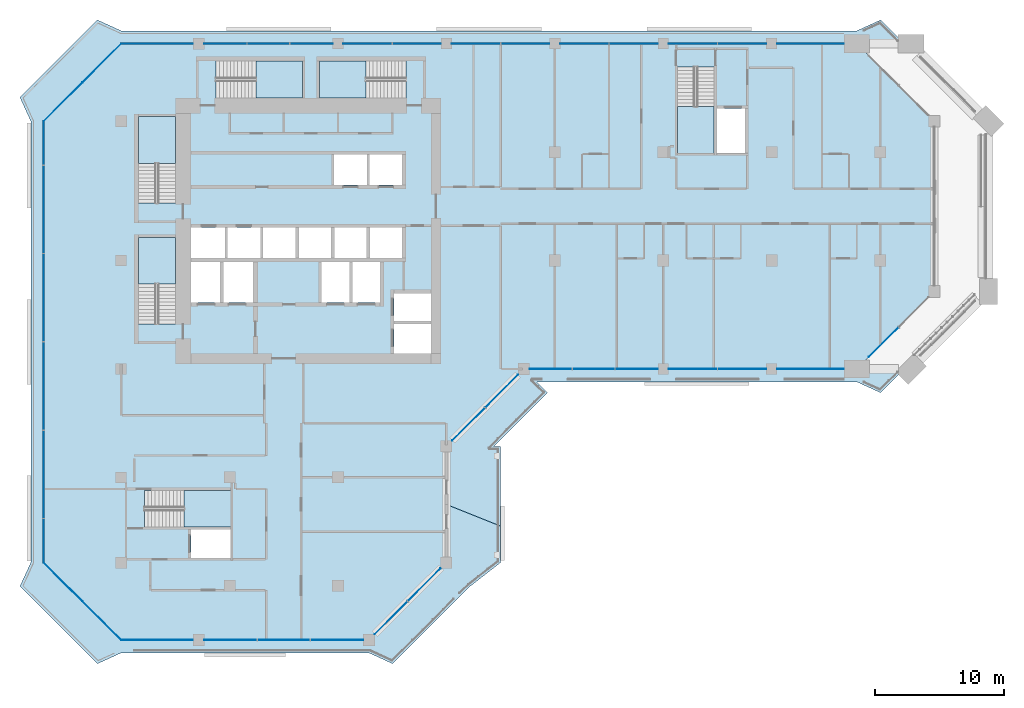
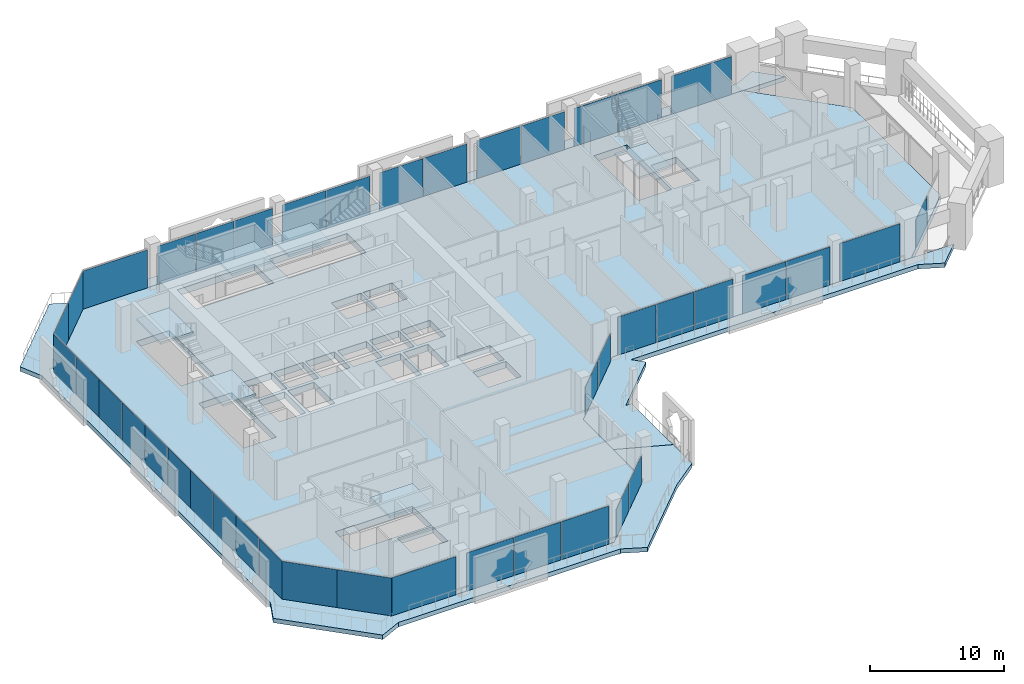
# One storey, part 8 of 21: 42 plates, 9 slabs, 15 elements without a shape of their own.
"""IFC4 building model written with IfcOpenShell, lengths in metres."""

from ifc_helpers import new_model, si_unit, direction, frame, origin, origin_2d, place, context, subcontext, project, spatial, polyline, rectangle, outline, extrude, material, layer, layer_set, type_object, element, aggregate, save


model = new_model("IFC4")

# Units and contexts
model_context = context("Model", 3, precision=1e-05, world=origin(), true_north=direction((0.0, 1.0)))
body_context = subcontext(model_context, "Body", "Model", "MODEL_VIEW")
ifc_project = project(units=[si_unit("LENGTHUNIT", "METRE"), si_unit("AREAUNIT", "SQUARE_METRE"), si_unit("VOLUMEUNIT", "CUBIC_METRE"), si_unit("PLANEANGLEUNIT", "RADIAN"), si_unit("MASSUNIT", "GRAM", prefix="KILO")], contexts=[model_context])

# Site, building, storey
site_placement = place(None, origin())
site = spatial("IfcSite", under=ifc_project, at=site_placement, CompositionType="ELEMENT")
building_placement = place(site_placement, origin())
building = spatial("IfcBuilding", under=site, at=building_placement, Name="Kawkab Arch Medical Tower", CompositionType="ELEMENT")
storey_placement = place(building_placement, frame((0.0, 0.0, 230.60009765625)))
storey = spatial("IfcBuildingStorey", under=building, at=storey_placement, Name="L53", CompositionType="ELEMENT", Elevation=230.60009765625)

# Curtain wall, plates
ifc_material_1 = material(Name="Bronze anodised aluminium curtain wall frame", Category="aluminium")
ifc_layer_1 = layer(ifc_material_1, 0.159912109375)
ifc_layer_set_1 = layer_set([ifc_layer_1], Name="Bronze anodised aluminium curtain wall frame")
curtain_wall_type_1 = type_object("IfcCurtainWallType", Name="CW1 ward curtain wall", PredefinedType="NOTDEFINED", material=ifc_layer_set_1)
placement_1 = place(storey_placement, origin())
curtain_wall_1 = element("IfcCurtainWall", 1, at=placement_1, inside=storey, type_object=curtain_wall_type_1, Name="CW1 Ward curtain wall R01", PredefinedType="NOTDEFINED")
ifc_material_2 = material(Name="Tinted insulating glass, bronze low-e coating", Category="glass")
ifc_layer_2 = layer(ifc_material_2, 0.031982421875)
ifc_layer_set_2 = layer_set([ifc_layer_2], Name="Tinted insulating glass, bronze low-e coating")
plate_type_1 = type_object("IfcPlateType", Name="CW1 glazing unit 32", PredefinedType="CURTAIN_PANEL", material=ifc_layer_set_2)
plate_1_placement = place(storey_placement, frame((-6.0, -7.695068359375, 0.0), z_axis=(0.0, 0.0, 1.0), x_axis=(0.0, -1.0, 0.0)))
plate_1 = element("IfcPlate", 2, at=plate_1_placement, type_object=plate_type_1, Name="CW1 glazing unit 1.1", PredefinedType="CURTAIN_PANEL", context=body_context, shape_type="SweptSolid", body=[
    extrude(rectangle(XDim=3.389892578125, YDim=0.031982421875, at=origin_2d()), origin(), (0.0, 0.0, 1.0), 3.47998046875),
])
plate_2_placement = place(storey_placement, frame((-6.0, -11.14501953125, 0.0), z_axis=(0.0, 0.0, 1.0), x_axis=(0.0, -1.0, 0.0)))
plate_2 = element("IfcPlate", 3, at=plate_2_placement, type_object=plate_type_1, Name="CW1 glazing unit 1.2", PredefinedType="CURTAIN_PANEL", context=body_context, shape_type="SweptSolid", body=[
    extrude(rectangle(XDim=3.389892578125, YDim=0.031982421875, at=origin_2d()), origin(), (0.0, 0.0, 1.0), 3.47998046875),
])
plate_3_placement = place(storey_placement, frame((-6.0, -14.534912109375, 0.0), z_axis=(0.0, 0.0, 1.0), x_axis=(0.0, -1.0, 0.0)))
plate_3 = element("IfcPlate", 4, at=plate_3_placement, type_object=plate_type_1, Name="CW1 glazing unit 2.1", PredefinedType="CURTAIN_PANEL", context=body_context, shape_type="SweptSolid", body=[
    extrude(rectangle(XDim=3.389892578125, YDim=0.031982421875, at=origin_2d()), origin(), (0.0, 0.0, 1.0), 3.47998046875),
])
plate_4_placement = place(storey_placement, frame((-6.0, -17.985107421875, 0.0), z_axis=(0.0, 0.0, 1.0), x_axis=(0.0, -1.0, 0.0)))
plate_4 = element("IfcPlate", 5, at=plate_4_placement, type_object=plate_type_1, Name="CW1 glazing unit 2.2", PredefinedType="CURTAIN_PANEL", context=body_context, shape_type="SweptSolid", body=[
    extrude(rectangle(XDim=3.389892578125, YDim=0.031982421875, at=origin_2d()), origin(), (0.0, 0.0, 1.0), 3.47998046875),
])
plate_5_placement = place(storey_placement, frame((-6.0, -21.375, 0.0), z_axis=(0.0, 0.0, 1.0), x_axis=(0.0, -1.0, 0.0)))
plate_5 = element("IfcPlate", 6, at=plate_5_placement, type_object=plate_type_1, Name="CW1 glazing unit 3.1", PredefinedType="CURTAIN_PANEL", context=body_context, shape_type="SweptSolid", body=[
    extrude(rectangle(XDim=3.389892578125, YDim=0.031982421875, at=origin_2d()), origin(), (0.0, 0.0, 1.0), 3.47998046875),
])
plate_6_placement = place(storey_placement, frame((-6.0, -24.824951171875, 0.0), z_axis=(0.0, 0.0, 1.0), x_axis=(0.0, -1.0, 0.0)))
plate_6 = element("IfcPlate", 7, at=plate_6_placement, type_object=plate_type_1, Name="CW1 glazing unit 3.2", PredefinedType="CURTAIN_PANEL", context=body_context, shape_type="SweptSolid", body=[
    extrude(rectangle(XDim=3.389892578125, YDim=0.031982421875, at=origin_2d()), origin(), (0.0, 0.0, 1.0), 3.47998046875),
])
plate_7_placement = place(storey_placement, frame((-6.0, -28.215087890625, 0.0), z_axis=(0.0, 0.0, 1.0), x_axis=(0.0, -1.0, 0.0)))
plate_7 = element("IfcPlate", 8, at=plate_7_placement, type_object=plate_type_1, Name="CW1 glazing unit 4.1", PredefinedType="CURTAIN_PANEL", context=body_context, shape_type="SweptSolid", body=[
    extrude(rectangle(XDim=3.389892578125, YDim=0.031982421875, at=origin_2d()), origin(), (0.0, 0.0, 1.0), 3.47998046875),
])
plate_8_placement = place(storey_placement, frame((-6.0, -31.6650390625, 0.0), z_axis=(0.0, 0.0, 1.0), x_axis=(0.0, -1.0, 0.0)))
plate_8 = element("IfcPlate", 9, at=plate_8_placement, type_object=plate_type_1, Name="CW1 glazing unit 4.2", PredefinedType="CURTAIN_PANEL", context=body_context, shape_type="SweptSolid", body=[
    extrude(rectangle(XDim=3.389892578125, YDim=0.031982421875, at=origin_2d()), origin(), (0.0, 0.0, 1.0), 3.47998046875),
])
plate_9_placement = place(storey_placement, frame((-6.0, -35.054931640625, 0.0), z_axis=(0.0, 0.0, 1.0), x_axis=(0.0, -1.0, 0.0)))
plate_9 = element("IfcPlate", 10, at=plate_9_placement, type_object=plate_type_1, Name="CW1 glazing unit 5.1", PredefinedType="CURTAIN_PANEL", context=body_context, shape_type="SweptSolid", body=[
    extrude(rectangle(XDim=3.389892578125, YDim=0.031982421875, at=origin_2d()), origin(), (0.0, 0.0, 1.0), 3.47998046875),
])
plate_10_placement = place(storey_placement, frame((-6.0, -38.5048828125, 0.0), z_axis=(0.0, 0.0, 1.0), x_axis=(0.0, -1.0, 0.0)))
plate_10 = element("IfcPlate", 11, at=plate_10_placement, type_object=plate_type_1, Name="CW1 glazing unit 5.2", PredefinedType="CURTAIN_PANEL", context=body_context, shape_type="SweptSolid", body=[
    extrude(rectangle(XDim=3.389892578125, YDim=0.031982421875, at=origin_2d()), origin(), (0.0, 0.0, 1.0), 3.47998046875),
])
aggregate(curtain_wall_1, [plate_1, plate_2, plate_3, plate_4, plate_5, plate_6, plate_7, plate_8, plate_9, plate_10])

curtain_wall_2 = element("IfcCurtainWall", 12, at=placement_1, inside=storey, type_object=curtain_wall_type_1, Name="CW1 Ward curtain wall R03", PredefinedType="NOTDEFINED")
plate_11_placement = place(storey_placement, frame((2.77490234375, -46.199951171875, 0.0), z_axis=(0.0, 0.0, 1.0), x_axis=(1.0, 0.0, 0.0)))
plate_11 = element("IfcPlate", 13, at=plate_11_placement, type_object=plate_type_1, Name="CW1 glazing unit 1.1", PredefinedType="CURTAIN_PANEL", context=body_context, shape_type="SweptSolid", body=[
    extrude(rectangle(XDim=5.550048828125, YDim=0.031982421875, at=origin_2d()), origin(), (0.0, 0.0, 1.0), 3.47998046875),
])
plate_12_placement = place(storey_placement, frame((8.485107421875, -46.199951171875, 0.0), z_axis=(0.0, 0.0, 1.0), x_axis=(1.0, 0.0, 0.0)))
plate_12 = element("IfcPlate", 14, at=plate_12_placement, type_object=plate_type_1, Name="CW1 glazing unit 2.1", PredefinedType="CURTAIN_PANEL", context=body_context, shape_type="SweptSolid", body=[
    extrude(rectangle(XDim=4.070068359375, YDim=0.031982421875, at=origin_2d()), origin(), (0.0, 0.0, 1.0), 3.47998046875),
])
plate_13_placement = place(storey_placement, frame((12.60009765625, -46.199951171875, 0.0), z_axis=(0.0, 0.0, 1.0), x_axis=(1.0, 0.0, 0.0)))
plate_13 = element("IfcPlate", 15, at=plate_13_placement, type_object=plate_type_1, Name="CW1 glazing unit 2.2", PredefinedType="CURTAIN_PANEL", context=body_context, shape_type="SweptSolid", body=[
    extrude(rectangle(XDim=4.0400390625, YDim=0.031982421875, at=origin_2d()), origin(), (0.0, 0.0, 1.0), 3.47998046875),
])
plate_14_placement = place(storey_placement, frame((16.715087890625, -46.199951171875, 0.0), z_axis=(0.0, 0.0, 1.0), x_axis=(1.0, 0.0, 0.0)))
plate_14 = element("IfcPlate", 16, at=plate_14_placement, type_object=plate_type_1, Name="CW1 glazing unit 2.3", PredefinedType="CURTAIN_PANEL", context=body_context, shape_type="SweptSolid", body=[
    extrude(rectangle(XDim=4.070068359375, YDim=0.031982421875, at=origin_2d()), origin(), (0.0, 0.0, 1.0), 3.47998046875),
])
aggregate(curtain_wall_2, [plate_11, plate_12, plate_13, plate_14])

curtain_wall_3 = element("IfcCurtainWall", 17, at=placement_1, inside=storey, type_object=curtain_wall_type_1, Name="CW1 Ward curtain wall R07", PredefinedType="NOTDEFINED")
plate_15_placement = place(storey_placement, frame((33.2890625, -25.199951171875, 0.0), z_axis=(0.0, 0.0, 1.0), x_axis=(1.0, 0.0, 0.0)))
plate_15 = element("IfcPlate", 18, at=plate_15_placement, type_object=plate_type_1, Name="CW1 glazing unit 1.1", PredefinedType="CURTAIN_PANEL", context=body_context, shape_type="SweptSolid", body=[
    extrude(rectangle(XDim=3.2783203125, YDim=0.031982421875, at=origin_2d()), origin(), (0.0, 0.0, 1.0), 3.47998046875),
])
plate_16_placement = place(storey_placement, frame((36.612548828125, -25.199951171875, 0.0), z_axis=(0.0, 0.0, 1.0), x_axis=(1.0, 0.0, 0.0)))
plate_16 = element("IfcPlate", 19, at=plate_16_placement, type_object=plate_type_1, Name="CW1 glazing unit 1.2", PredefinedType="CURTAIN_PANEL", context=body_context, shape_type="SweptSolid", body=[
    extrude(rectangle(XDim=3.248291015625, YDim=0.031982421875, at=origin_2d()), origin(), (0.0, 0.0, 1.0), 3.47998046875),
])
plate_17_placement = place(storey_placement, frame((39.935791015625, -25.199951171875, 0.0), z_axis=(0.0, 0.0, 1.0), x_axis=(1.0, 0.0, 0.0)))
plate_17 = element("IfcPlate", 20, at=plate_17_placement, type_object=plate_type_1, Name="CW1 glazing unit 1.3", PredefinedType="CURTAIN_PANEL", context=body_context, shape_type="SweptSolid", body=[
    extrude(rectangle(XDim=3.2783203125, YDim=0.031982421875, at=origin_2d()), origin(), (0.0, 0.0, 1.0), 3.47998046875),
])
plate_18_placement = place(storey_placement, frame((44.297607421875, -25.199951171875, 0.0), z_axis=(0.0, 0.0, 1.0), x_axis=(1.0, 0.0, 0.0)))
plate_18 = element("IfcPlate", 21, at=plate_18_placement, type_object=plate_type_1, Name="CW1 glazing unit 2.1", PredefinedType="CURTAIN_PANEL", context=body_context, shape_type="SweptSolid", body=[
    extrude(rectangle(XDim=3.7451171875, YDim=0.031982421875, at=origin_2d()), origin(), (0.0, 0.0, 1.0), 3.47998046875),
])
plate_19_placement = place(storey_placement, frame((48.1025390625, -25.199951171875, 0.0), z_axis=(0.0, 0.0, 1.0), x_axis=(1.0, 0.0, 0.0)))
plate_19 = element("IfcPlate", 22, at=plate_19_placement, type_object=plate_type_1, Name="CW1 glazing unit 2.2", PredefinedType="CURTAIN_PANEL", context=body_context, shape_type="SweptSolid", body=[
    extrude(rectangle(XDim=3.7451171875, YDim=0.031982421875, at=origin_2d()), origin(), (0.0, 0.0, 1.0), 3.47998046875),
])
plate_20_placement = place(storey_placement, frame((53.41259765625, -25.199951171875, 0.0), z_axis=(0.0, 0.0, 1.0), x_axis=(1.0, 0.0, 0.0)))
plate_20 = element("IfcPlate", 23, at=plate_20_placement, type_object=plate_type_1, Name="CW1 glazing unit 3.1", PredefinedType="CURTAIN_PANEL", context=body_context, shape_type="SweptSolid", body=[
    extrude(rectangle(XDim=5.175048828125, YDim=0.031982421875, at=origin_2d()), origin(), (0.0, 0.0, 1.0), 3.47998046875),
])
aggregate(curtain_wall_3, [plate_15, plate_16, plate_17, plate_18, plate_19, plate_20])

curtain_wall_4 = element("IfcCurtainWall", 24, at=placement_1, inside=storey, type_object=curtain_wall_type_1, Name="CW1 Ward curtain wall R11", PredefinedType="NOTDEFINED")
plate_21_placement = place(storey_placement, frame((53.41259765625, 0.0, 0.0), z_axis=(0.0, 0.0, 1.0), x_axis=(-1.0, 0.0, 0.0)))
plate_21 = element("IfcPlate", 25, at=plate_21_placement, type_object=plate_type_1, Name="CW1 glazing unit 1.1", PredefinedType="CURTAIN_PANEL", context=body_context, shape_type="SweptSolid", body=[
    extrude(rectangle(XDim=5.175048828125, YDim=0.031982421875, at=origin_2d()), origin(), (0.0, 0.0, 1.0), 3.47998046875),
])
plate_22_placement = place(storey_placement, frame((48.1025390625, 0.0, 0.0), z_axis=(0.0, 0.0, 1.0), x_axis=(-1.0, 0.0, 0.0)))
plate_22 = element("IfcPlate", 26, at=plate_22_placement, type_object=plate_type_1, Name="CW1 glazing unit 2.1", PredefinedType="CURTAIN_PANEL", context=body_context, shape_type="SweptSolid", body=[
    extrude(rectangle(XDim=3.7451171875, YDim=0.031982421875, at=origin_2d()), origin(), (0.0, 0.0, 1.0), 3.47998046875),
])
plate_23_placement = place(storey_placement, frame((44.297607421875, 0.0, 0.0), z_axis=(0.0, 0.0, 1.0), x_axis=(-1.0, 0.0, 0.0)))
plate_23 = element("IfcPlate", 27, at=plate_23_placement, type_object=plate_type_1, Name="CW1 glazing unit 2.2", PredefinedType="CURTAIN_PANEL", context=body_context, shape_type="SweptSolid", body=[
    extrude(rectangle(XDim=3.7451171875, YDim=0.031982421875, at=origin_2d()), origin(), (0.0, 0.0, 1.0), 3.47998046875),
])
plate_24_placement = place(storey_placement, frame((39.702392578125, 0.0, 0.0), z_axis=(0.0, 0.0, 1.0), x_axis=(-1.0, 0.0, 0.0)))
plate_24 = element("IfcPlate", 28, at=plate_24_placement, type_object=plate_type_1, Name="CW1 glazing unit 3.1", PredefinedType="CURTAIN_PANEL", context=body_context, shape_type="SweptSolid", body=[
    extrude(rectangle(XDim=3.7451171875, YDim=0.031982421875, at=origin_2d()), origin(), (0.0, 0.0, 1.0), 3.47998046875),
])
plate_25_placement = place(storey_placement, frame((35.8974609375, 0.0, 0.0), z_axis=(0.0, 0.0, 1.0), x_axis=(-1.0, 0.0, 0.0)))
plate_25 = element("IfcPlate", 29, at=plate_25_placement, type_object=plate_type_1, Name="CW1 glazing unit 3.2", PredefinedType="CURTAIN_PANEL", context=body_context, shape_type="SweptSolid", body=[
    extrude(rectangle(XDim=3.7451171875, YDim=0.031982421875, at=origin_2d()), origin(), (0.0, 0.0, 1.0), 3.47998046875),
])
plate_26_placement = place(storey_placement, frame((31.302490234375, 0.0, 0.0), z_axis=(0.0, 0.0, 1.0), x_axis=(-1.0, 0.0, 0.0)))
plate_26 = element("IfcPlate", 30, at=plate_26_placement, type_object=plate_type_1, Name="CW1 glazing unit 4.1", PredefinedType="CURTAIN_PANEL", context=body_context, shape_type="SweptSolid", body=[
    extrude(rectangle(XDim=3.7451171875, YDim=0.031982421875, at=origin_2d()), origin(), (0.0, 0.0, 1.0), 3.47998046875),
])
plate_27_placement = place(storey_placement, frame((27.49755859375, 0.0, 0.0), z_axis=(0.0, 0.0, 1.0), x_axis=(-1.0, 0.0, 0.0)))
plate_27 = element("IfcPlate", 31, at=plate_27_placement, type_object=plate_type_1, Name="CW1 glazing unit 4.2", PredefinedType="CURTAIN_PANEL", context=body_context, shape_type="SweptSolid", body=[
    extrude(rectangle(XDim=3.7451171875, YDim=0.031982421875, at=origin_2d()), origin(), (0.0, 0.0, 1.0), 3.47998046875),
])
plate_28_placement = place(storey_placement, frame((22.902587890625, 0.0, 0.0), z_axis=(0.0, 0.0, 1.0), x_axis=(-1.0, 0.0, 0.0)))
plate_28 = element("IfcPlate", 32, at=plate_28_placement, type_object=plate_type_1, Name="CW1 glazing unit 5.1", PredefinedType="CURTAIN_PANEL", context=body_context, shape_type="SweptSolid", body=[
    extrude(rectangle(XDim=3.7451171875, YDim=0.031982421875, at=origin_2d()), origin(), (0.0, 0.0, 1.0), 3.47998046875),
])
plate_29_placement = place(storey_placement, frame((19.097412109375, 0.0, 0.0), z_axis=(0.0, 0.0, 1.0), x_axis=(-1.0, 0.0, 0.0)))
plate_29 = element("IfcPlate", 33, at=plate_29_placement, type_object=plate_type_1, Name="CW1 glazing unit 5.2", PredefinedType="CURTAIN_PANEL", context=body_context, shape_type="SweptSolid", body=[
    extrude(rectangle(XDim=3.7451171875, YDim=0.031982421875, at=origin_2d()), origin(), (0.0, 0.0, 1.0), 3.47998046875),
])
plate_30_placement = place(storey_placement, frame((14.73583984375, 0.0, 0.0), z_axis=(0.0, 0.0, 1.0), x_axis=(-1.0, 0.0, 0.0)))
plate_30 = element("IfcPlate", 34, at=plate_30_placement, type_object=plate_type_1, Name="CW1 glazing unit 6.1", PredefinedType="CURTAIN_PANEL", context=body_context, shape_type="SweptSolid", body=[
    extrude(rectangle(XDim=3.2783203125, YDim=0.031982421875, at=origin_2d()), origin(), (0.0, 0.0, 1.0), 3.47998046875),
])
plate_31_placement = place(storey_placement, frame((11.41259765625, 0.0, 0.0), z_axis=(0.0, 0.0, 1.0), x_axis=(-1.0, 0.0, 0.0)))
plate_31 = element("IfcPlate", 35, at=plate_31_placement, type_object=plate_type_1, Name="CW1 glazing unit 6.2", PredefinedType="CURTAIN_PANEL", context=body_context, shape_type="SweptSolid", body=[
    extrude(rectangle(XDim=3.248291015625, YDim=0.031982421875, at=origin_2d()), origin(), (0.0, 0.0, 1.0), 3.47998046875),
])
plate_32_placement = place(storey_placement, frame((8.089111328125, 0.0, 0.0), z_axis=(0.0, 0.0, 1.0), x_axis=(-1.0, 0.0, 0.0)))
plate_32 = element("IfcPlate", 36, at=plate_32_placement, type_object=plate_type_1, Name="CW1 glazing unit 6.3", PredefinedType="CURTAIN_PANEL", context=body_context, shape_type="SweptSolid", body=[
    extrude(rectangle(XDim=3.2783203125, YDim=0.031982421875, at=origin_2d()), origin(), (0.0, 0.0, 1.0), 3.47998046875),
])
plate_33_placement = place(storey_placement, frame((2.77490234375, 0.0, 0.0), z_axis=(0.0, 0.0, 1.0), x_axis=(-1.0, 0.0, 0.0)))
plate_33 = element("IfcPlate", 37, at=plate_33_placement, type_object=plate_type_1, Name="CW1 glazing unit 7.1", PredefinedType="CURTAIN_PANEL", context=body_context, shape_type="SweptSolid", body=[
    extrude(rectangle(XDim=5.550048828125, YDim=0.031982421875, at=origin_2d()), origin(), (0.0, 0.0, 1.0), 3.47998046875),
])
aggregate(curtain_wall_4, [plate_21, plate_22, plate_23, plate_24, plate_25, plate_26, plate_27, plate_28, plate_29, plate_30, plate_31, plate_32, plate_33])

ifc_material_3 = material(Name="Bronze anodised aluminium curtain wall frame", Category="aluminium")
ifc_layer_3 = layer(ifc_material_3, 0.159912109375)
ifc_layer_set_3 = layer_set([ifc_layer_3], Name="Bronze anodised aluminium curtain wall frame")
curtain_wall_type_2 = type_object("IfcCurtainWallType", Name="CW2 chamfer curtain wall", PredefinedType="NOTDEFINED", material=ifc_layer_set_3)
curtain_wall_5 = element("IfcCurtainWall", 38, at=placement_1, inside=storey, type_object=curtain_wall_type_2, Name="CW2 Chamfer curtain wall R02", PredefinedType="NOTDEFINED")
ifc_material_4 = material(Name="Tinted insulating glass, bronze low-e coating", Category="glass")
ifc_layer_4 = layer(ifc_material_4, 0.031982421875)
ifc_layer_set_4 = layer_set([ifc_layer_4], Name="Tinted insulating glass, bronze low-e coating")
plate_type_2 = type_object("IfcPlateType", Name="CW2 glazing unit 32", PredefinedType="CURTAIN_PANEL", material=ifc_layer_set_4)
plate_34_placement = place(storey_placement, frame((-4.5, -41.699951171875, 0.0), z_axis=(0.0, 0.0, 1.0), x_axis=(0.707106781187, -0.707106781187, 0.0)))
plate_34 = element("IfcPlate", 39, at=plate_34_placement, type_object=plate_type_2, Name="CW2 glazing unit 1.1", PredefinedType="CURTAIN_PANEL", context=body_context, shape_type="SweptSolid", body=[
    extrude(rectangle(XDim=4.24267578125, YDim=0.031982421875, at=origin_2d()), origin(), (0.0, 0.0, 1.0), 3.4599609375),
])
plate_35_placement = place(storey_placement, frame((-1.5, -44.699951171875, 0.0), z_axis=(0.0, 0.0, 1.0), x_axis=(0.707106781187, -0.707106781187, 0.0)))
plate_35 = element("IfcPlate", 40, at=plate_35_placement, type_object=plate_type_2, Name="CW2 glazing unit 2.1", PredefinedType="CURTAIN_PANEL", context=body_context, shape_type="SweptSolid", body=[
    extrude(rectangle(XDim=4.24267578125, YDim=0.031982421875, at=origin_2d()), origin(), (0.0, 0.0, 1.0), 3.4599609375),
])
aggregate(curtain_wall_5, [plate_34, plate_35])

curtain_wall_6 = element("IfcCurtainWall", 41, at=placement_1, inside=storey, type_object=curtain_wall_type_2, Name="CW2 Chamfer curtain wall R04", PredefinedType="NOTDEFINED")
plate_36_placement = place(storey_placement, frame((20.914306640625, -44.485595703125, -0.000244140625), z_axis=(0.0, 0.0, 1.0), x_axis=(0.707106781187, 0.707106781187, 0.0)))
plate_36 = element("IfcPlate", 42, at=plate_36_placement, type_object=plate_type_2, Name="CW2 glazing unit 1.1", PredefinedType="CURTAIN_PANEL", context=body_context, shape_type="SweptSolid", body=[
    extrude(rectangle(XDim=3.576171875, YDim=0.031982421875, at=origin_2d()), origin(), (0.0, 0.0, 1.0), 2.56005859375),
])
plate_37_placement = place(storey_placement, frame((23.485595703125, -41.914306640625, -0.000244140625), z_axis=(0.0, 0.0, 1.0), x_axis=(0.707106781187, 0.707106781187, 0.0)))
plate_37 = element("IfcPlate", 43, at=plate_37_placement, type_object=plate_type_2, Name="CW2 glazing unit 1.2", PredefinedType="CURTAIN_PANEL", context=body_context, shape_type="SweptSolid", body=[
    extrude(rectangle(XDim=3.576171875, YDim=0.031982421875, at=origin_2d()), origin(), (0.0, 0.0, 1.0), 2.56005859375),
])
aggregate(curtain_wall_6, [plate_36, plate_37])

curtain_wall_7 = element("IfcCurtainWall", 44, at=placement_1, inside=storey, type_object=curtain_wall_type_2, Name="CW2 Chamfer curtain wall R06", PredefinedType="NOTDEFINED")
plate_38_placement = place(storey_placement, frame((26.914306640625, -29.485595703125, -0.000244140625), z_axis=(0.0, 0.0, 1.0), x_axis=(0.707106781187, 0.707106781187, 0.0)))
plate_38 = element("IfcPlate", 45, at=plate_38_placement, type_object=plate_type_2, Name="CW2 glazing unit 1.1", PredefinedType="CURTAIN_PANEL", context=body_context, shape_type="SweptSolid", body=[
    extrude(rectangle(XDim=3.576171875, YDim=0.031982421875, at=origin_2d()), origin(), (0.0, 0.0, 1.0), 2.56005859375),
])
plate_39_placement = place(storey_placement, frame((29.485595703125, -26.914306640625, -0.000244140625), z_axis=(0.0, 0.0, 1.0), x_axis=(0.707106781187, 0.707106781187, 0.0)))
plate_39 = element("IfcPlate", 46, at=plate_39_placement, type_object=plate_type_2, Name="CW2 glazing unit 1.2", PredefinedType="CURTAIN_PANEL", context=body_context, shape_type="SweptSolid", body=[
    extrude(rectangle(XDim=3.576171875, YDim=0.031982421875, at=origin_2d()), origin(), (0.0, 0.0, 1.0), 2.56005859375),
])
aggregate(curtain_wall_7, [plate_38, plate_39])

# Curtain wall, plate
curtain_wall_8 = element("IfcCurtainWall", 47, at=placement_1, inside=storey, type_object=curtain_wall_type_2, Name="CW2 Chamfer curtain wall R08", PredefinedType="NOTDEFINED")
plate_40_placement = place(storey_placement, frame((59.07470703125, -23.125244140625, -0.000244140625), z_axis=(0.0, 0.0, 1.0), x_axis=(0.707106781187, 0.707106781187, 0.0)))
plate_40 = element("IfcPlate", 48, at=plate_40_placement, type_object=plate_type_2, Name="CW2 glazing unit 1.1", PredefinedType="CURTAIN_PANEL", context=body_context, shape_type="SweptSolid", body=[
    extrude(rectangle(XDim=3.236572265625, YDim=0.031982421875, at=origin_2d()), origin(), (0.0, 0.0, 1.0), 2.56005859375),
])
aggregate(curtain_wall_8, [plate_40])

# Curtain wall, plates
curtain_wall_9 = element("IfcCurtainWall", 49, at=placement_1, inside=storey, type_object=curtain_wall_type_2, Name="CW2 Chamfer curtain wall R12", PredefinedType="NOTDEFINED")
plate_41_placement = place(storey_placement, frame((-1.5, -1.5, 0.0), z_axis=(0.0, 0.0, 1.0), x_axis=(-0.707106781187, -0.707106781187, 0.0)))
plate_41 = element("IfcPlate", 50, at=plate_41_placement, type_object=plate_type_2, Name="CW2 glazing unit 1.1", PredefinedType="CURTAIN_PANEL", context=body_context, shape_type="SweptSolid", body=[
    extrude(rectangle(XDim=4.24267578125, YDim=0.031982421875, at=origin_2d()), origin(), (0.0, 0.0, 1.0), 3.4599609375),
])
plate_42_placement = place(storey_placement, frame((-4.5, -4.5, 0.0), z_axis=(0.0, 0.0, 1.0), x_axis=(-0.707106781187, -0.707106781187, 0.0)))
plate_42 = element("IfcPlate", 51, at=plate_42_placement, type_object=plate_type_2, Name="CW2 glazing unit 2.1", PredefinedType="CURTAIN_PANEL", context=body_context, shape_type="SweptSolid", body=[
    extrude(rectangle(XDim=4.24267578125, YDim=0.031982421875, at=origin_2d()), origin(), (0.0, 0.0, 1.0), 3.4599609375),
])
aggregate(curtain_wall_9, [plate_41, plate_42])

# Stair, slab
ifc_material_5 = material(Name="Concrete C40/50", Category="concrete")
stair_type = type_object("IfcStairType", Name="Exit stair 1350", PredefinedType="HALF_TURN_STAIR", material=ifc_material_5)
stair_1 = element("IfcStair", 52, at=placement_1, inside=storey, type_object=stair_type, Name="L53 Exit stair ST1", PredefinedType="HALF_TURN_STAIR")
ifc_material_6 = material(Name="Concrete C40/50", Category="concrete")
ifc_layer_5 = layer(ifc_material_6, 0.199951171875)
ifc_layer_set_5 = layer_set([ifc_layer_5], Name="Concrete C40/50")
slab_type_1 = type_object("IfcSlabType", Name="Exit stair landing 200", PredefinedType="LANDING", material=ifc_layer_set_5)
placement_2 = place(storey_placement, frame((0.0, 0.0, 1.89990234375)))
slab_1 = element("IfcSlab", 53, at=placement_2, type_object=slab_type_1, Name="ST1 landing 1", PredefinedType="LANDING", context=body_context, shape_type="SweptSolid", body=[
    extrude(outline(polyline([(4.199951171875, -9.27001953125), (4.199951171875, -5.64990234375), (1.35009765625, -5.64990234375), (1.35009765625, -9.27001953125), (4.199951171875, -9.27001953125)])), origin(), (0.0, 0.0, 1.0), 0.199951171875),
])
aggregate(stair_1, [slab_1])

stair_2 = element("IfcStair", 54, at=placement_1, inside=storey, type_object=stair_type, Name="L53 Exit stair ST2", PredefinedType="HALF_TURN_STAIR")
slab_2 = element("IfcSlab", 55, at=placement_2, type_object=slab_type_1, Name="ST2 landing 1", PredefinedType="LANDING", context=body_context, shape_type="SweptSolid", body=[
    extrude(outline(polyline([(4.199951171875, -18.6201171875), (4.199951171875, -15.0), (1.35009765625, -15.0), (1.35009765625, -18.6201171875), (4.199951171875, -18.6201171875)])), origin(), (0.0, 0.0, 1.0), 0.199951171875),
])
aggregate(stair_2, [slab_2])

stair_3 = element("IfcStair", 56, at=placement_1, inside=storey, type_object=stair_type, Name="L53 Exit stair ST3", PredefinedType="HALF_TURN_STAIR")
slab_3 = element("IfcSlab", 57, at=placement_2, type_object=slab_type_1, Name="ST3 landing 1", PredefinedType="LANDING", context=body_context, shape_type="SweptSolid", body=[
    extrude(outline(polyline([(10.429931640625, -4.199951171875), (14.050048828125, -4.199951171875), (14.050048828125, -1.35009765625), (10.429931640625, -1.35009765625), (10.429931640625, -4.199951171875)])), origin(), (0.0, 0.0, 1.0), 0.199951171875),
])
aggregate(stair_3, [slab_3])

stair_4 = element("IfcStair", 58, at=placement_1, inside=storey, type_object=stair_type, Name="L53 Exit stair ST4", PredefinedType="HALF_TURN_STAIR")
slab_4 = element("IfcSlab", 59, at=placement_2, type_object=slab_type_1, Name="ST4 landing 1", PredefinedType="LANDING", context=body_context, shape_type="SweptSolid", body=[
    extrude(outline(polyline([(18.969970703125, -1.35009765625), (15.35009765625, -1.35009765625), (15.35009765625, -4.199951171875), (18.969970703125, -4.199951171875), (18.969970703125, -1.35009765625)])), origin(), (0.0, 0.0, 1.0), 0.199951171875),
])
aggregate(stair_4, [slab_4])

stair_5 = element("IfcStair", 60, at=placement_1, inside=storey, type_object=stair_type, Name="L53 Exit stair ST5", PredefinedType="HALF_TURN_STAIR")
slab_5 = element("IfcSlab", 61, at=placement_2, type_object=slab_type_1, Name="ST5 landing 1", PredefinedType="LANDING", context=body_context, shape_type="SweptSolid", body=[
    extrude(outline(polyline([(43.10009765625, -4.8798828125), (43.10009765625, -8.5), (45.949951171875, -8.5), (45.949951171875, -4.8798828125), (43.10009765625, -4.8798828125)])), origin(), (0.0, 0.0, 1.0), 0.199951171875),
])
aggregate(stair_5, [slab_5])

stair_6 = element("IfcStair", 62, at=placement_1, inside=storey, type_object=stair_type, Name="L53 Exit stair ST6", PredefinedType="HALF_TURN_STAIR")
slab_6 = element("IfcSlab", 63, at=placement_2, type_object=slab_type_1, Name="ST6 landing 1", PredefinedType="LANDING", context=body_context, shape_type="SweptSolid", body=[
    extrude(outline(polyline([(4.8798828125, -37.449951171875), (8.5, -37.449951171875), (8.5, -34.60009765625), (4.8798828125, -34.60009765625), (4.8798828125, -37.449951171875)])), origin(), (0.0, 0.0, 1.0), 0.199951171875),
])
aggregate(stair_6, [slab_6])

# Slabs
ifc_material_7 = material(Name="Concrete C45/55", Category="concrete")
ifc_layer_6 = layer(ifc_material_7, 0.60009765625)
ifc_layer_set_6 = layer_set([ifc_layer_6], Name="Concrete C45/55")
slab_type_2 = type_object("IfcSlabType", Name="Flat plate 600 C45/55", PredefinedType="FLOOR", material=ifc_layer_set_6)
slab_7_placement = place(storey_placement, frame((0.0, 0.0, -0.60009765625)))
element("IfcSlab", 64, at=slab_7_placement, inside=storey, type_object=slab_type_2, Name="Floor slab L53", PredefinedType="FLOOR", context=body_context, shape_type="SweptSolid", body=[
    extrude(outline(polyline([(0.0, 0.0), (57.0, 0.0), (63.0, -6.0), (63.0, -19.199951171875), (57.0, -25.199951171875), (31.199951171875, -25.199951171875), (25.199951171875, -31.199951171875), (25.199951171875, -40.199951171875), (19.199951171875, -46.199951171875), (0.0, -46.199951171875), (-6.0, -40.199951171875), (-6.0, -6.0), (0.0, 0.0)]), holes=[polyline([(5.425048828125, -37.64990234375), (5.425048828125, -39.85009765625), (8.5, -39.85009765625), (8.5, -37.64990234375), (5.425048828125, -37.64990234375)]), polyline([(8.5, -37.449951171875), (8.5, -34.60009765625), (1.800048828125, -34.60009765625), (1.800048828125, -37.449951171875), (8.5, -37.449951171875)]), polyline([(5.39990234375, -20.050048828125), (7.675048828125, -20.050048828125), (7.675048828125, -16.89990234375), (5.39990234375, -16.89990234375), (5.39990234375, -20.050048828125)]), polyline([(10.199951171875, -20.050048828125), (10.199951171875, -16.89990234375), (7.925048828125, -16.89990234375), (7.925048828125, -20.050048828125), (10.199951171875, -20.050048828125)]), polyline([(4.199951171875, -21.699951171875), (4.199951171875, -15.0), (1.35009765625, -15.0), (1.35009765625, -21.699951171875), (4.199951171875, -21.699951171875)]), polyline([(5.39990234375, -16.60009765625), (8.050048828125, -16.60009765625), (8.050048828125, -14.25), (5.39990234375, -14.25), (5.39990234375, -16.60009765625)]), polyline([(10.800048828125, -14.25), (8.25, -14.25), (8.25, -16.60009765625), (10.800048828125, -16.60009765625), (10.800048828125, -14.25)]), polyline([(13.52490234375, -16.60009765625), (13.52490234375, -14.25), (11.0, -14.25), (11.0, -16.60009765625), (13.52490234375, -16.60009765625)]), polyline([(16.27490234375, -14.25), (13.77490234375, -14.25), (13.77490234375, -16.60009765625), (16.27490234375, -16.60009765625), (16.27490234375, -14.25)]), polyline([(4.199951171875, -12.35009765625), (4.199951171875, -5.64990234375), (1.35009765625, -5.64990234375), (1.35009765625, -12.35009765625), (4.199951171875, -12.35009765625)]), polyline([(7.35009765625, -4.199951171875), (14.050048828125, -4.199951171875), (14.050048828125, -1.35009765625), (7.35009765625, -1.35009765625), (7.35009765625, -4.199951171875)]), polyline([(24.0, -21.72509765625), (21.14990234375, -21.72509765625), (21.14990234375, -24.0), (24.0, -24.0), (24.0, -21.72509765625)]), polyline([(24.0, -19.35009765625), (21.14990234375, -19.35009765625), (21.14990234375, -21.47509765625), (24.0, -21.47509765625), (24.0, -19.35009765625)]), polyline([(15.52490234375, -16.89990234375), (15.52490234375, -20.050048828125), (17.675048828125, -20.050048828125), (17.675048828125, -16.89990234375), (15.52490234375, -16.89990234375)]), polyline([(20.050048828125, -16.89990234375), (17.925048828125, -16.89990234375), (17.925048828125, -20.050048828125), (20.050048828125, -20.050048828125), (20.050048828125, -16.89990234375)]), polyline([(16.52490234375, -14.25), (16.52490234375, -16.60009765625), (19.02490234375, -16.60009765625), (19.02490234375, -14.25), (16.52490234375, -14.25)]), polyline([(19.27490234375, -14.25), (19.27490234375, -16.60009765625), (21.75, -16.60009765625), (21.75, -14.25), (19.27490234375, -14.25)]), polyline([(19.050048828125, -10.949951171875), (19.050048828125, -8.60009765625), (16.5, -8.60009765625), (16.5, -10.949951171875), (19.050048828125, -10.949951171875)]), polyline([(21.75, -8.60009765625), (19.25, -8.60009765625), (19.25, -10.949951171875), (21.75, -10.949951171875), (21.75, -8.60009765625)]), polyline([(46.14990234375, -8.5), (48.35009765625, -8.5), (48.35009765625, -5.02490234375), (46.14990234375, -5.02490234375), (46.14990234375, -8.5)]), polyline([(43.10009765625, -1.800048828125), (43.10009765625, -8.5), (45.949951171875, -8.5), (45.949951171875, -1.800048828125), (43.10009765625, -1.800048828125)]), polyline([(22.050048828125, -1.35009765625), (15.35009765625, -1.35009765625), (15.35009765625, -4.199951171875), (22.050048828125, -4.199951171875), (22.050048828125, -1.35009765625)])]), origin(), (0.0, 0.0, 1.0), 0.60009765625),
])
ifc_material_8 = material(Name="Concrete C40/50", Category="concrete")
ifc_layer_7 = layer(ifc_material_8, 0.39990234375)
ifc_layer_set_7 = layer_set([ifc_layer_7], Name="Concrete C40/50")
slab_type_3 = type_object("IfcSlabType", Name="Loggia slab 400", PredefinedType="FLOOR", material=ifc_layer_set_7)
placement_3 = place(storey_placement, frame((0.0, 0.0, -0.400146484375)))
element("IfcSlab", 65, at=placement_3, inside=storey, type_object=slab_type_3, Name="Loggia slab L53.1", PredefinedType="FLOOR", context=body_context, shape_type="SweptSolid", body=[
    extrude(outline(polyline([(-7.837890625, -42.037109375), (-7.0, -40.199951171875), (-7.0, -6.0), (-7.837890625, -4.1630859375), (-1.8369140625, 1.837890625), (0.0, 1.0), (57.0, 1.0), (58.8369140625, 1.837890625), (60.674072265625, 0.0009765625), (57.02001953125, 0.0009765625), (57.02001953125, 0.0), (57.01806640625, 0.0), (57.014892578125, -0.0029296875), (57.014892578125, -0.0048828125), (57.013916015625, -0.0048828125), (57.013916015625, -0.010986328125), (57.012939453125, -0.010986328125), (57.0009765625, -0.0009765625), (57.0009765625, 0.0009765625), (0.0, 0.0009765625), (-6.0, -6.0), (-6.0, -40.199951171875), (0.0, -46.200927734375), (19.199951171875, -46.200927734375), (25.199951171875, -40.199951171875), (25.199951171875, -35.701904296875), (25.200927734375, -35.701904296875), (25.200927734375, -35.700927734375), (29.39892578125, -37.3798828125), (29.39892578125, -37.381103515625), (29.39990234375, -37.381103515625), (29.39990234375, -40.198974609375), (29.39892578125, -40.198974609375), (29.39892578125, -40.200927734375), (27.0380859375, -42.0380859375), (21.037109375, -48.0380859375), (19.199951171875, -47.199951171875), (0.0, -47.199951171875), (-1.8369140625, -48.0380859375), (-7.837890625, -42.037109375)])), origin(), (0.0, 0.0, 1.0), 0.400146484375),
])
element("IfcSlab", 66, at=placement_3, inside=storey, type_object=slab_type_3, Name="Loggia slab L53.2", PredefinedType="FLOOR", context=body_context, shape_type="SweptSolid", body=[
    extrude(outline(polyline([(25.199951171875, -31.199951171875), (31.199951171875, -25.199951171875), (57.0, -25.199951171875), (57.013916015625, -25.18798828125), (57.013916015625, -25.194091796875), (57.014892578125, -25.194091796875), (57.014892578125, -25.196044921875), (57.01611328125, -25.197021484375), (57.01708984375, -25.197998046875), (57.01806640625, -25.198974609375), (57.01904296875, -25.199951171875), (57.02099609375, -25.199951171875), (57.02099609375, -25.200927734375), (60.675048828125, -25.200927734375), (58.837890625, -27.0380859375), (57.0, -26.199951171875), (32.198974609375, -26.199951171875), (33.037109375, -27.0380859375), (28.8759765625, -31.199951171875), (29.39990234375, -31.199951171875), (29.39990234375, -37.37890625), (25.199951171875, -35.699951171875), (25.199951171875, -31.199951171875)])), origin(), (0.0, 0.0, 1.0), 0.400146484375),
])

save(model, "model.ifc")
